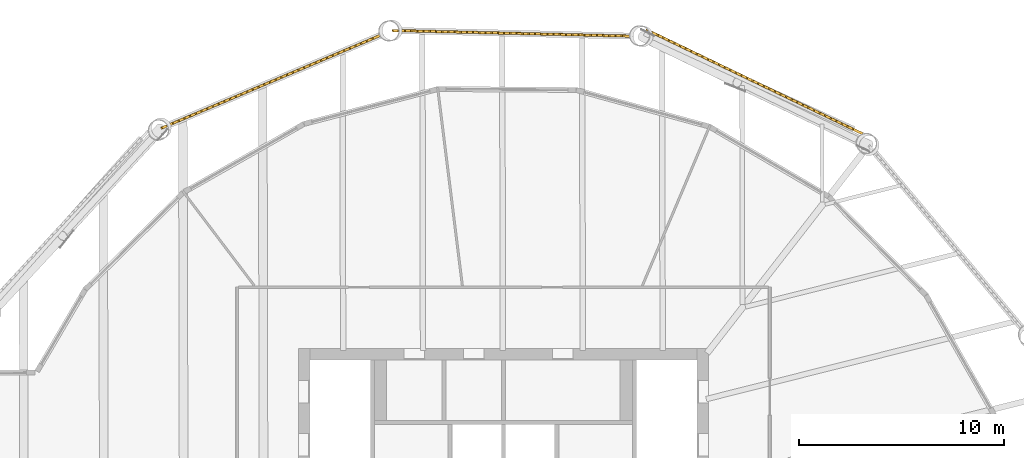
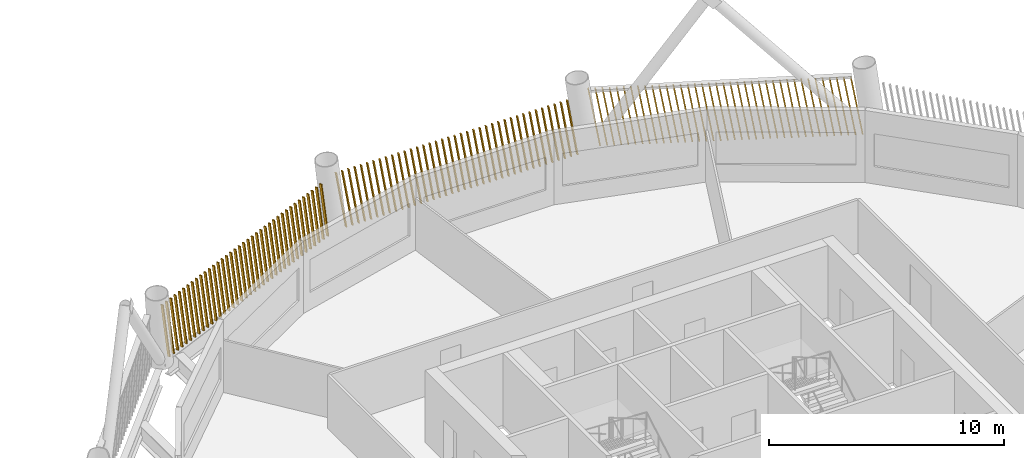
# One storey, part 21 of 22: 3 shading devices.
"""IFC4 building model written with IfcOpenShell, lengths in metres."""

from ifc_helpers import new_model, si_unit, direction, frame, frame_2d, origin, place, context, subcontext, project, spatial, rectangle, composite_profile, extrude, material, type_object, element, save


model = new_model("IFC4")

# Units and contexts
model_context = context("Model", 3, precision=1e-05, world=origin(), true_north=direction((0.0, 1.0)))
body_context = subcontext(model_context, "Body", "Model", "MODEL_VIEW")
ifc_project = project(units=[si_unit("LENGTHUNIT", "METRE"), si_unit("AREAUNIT", "SQUARE_METRE"), si_unit("VOLUMEUNIT", "CUBIC_METRE"), si_unit("PLANEANGLEUNIT", "RADIAN"), si_unit("MASSUNIT", "GRAM", prefix="KILO")], contexts=[model_context])

# Site, building, storey
site_placement = place(None, origin())
site = spatial("IfcSite", under=ifc_project, at=site_placement, CompositionType="ELEMENT")
building_placement = place(site_placement, origin())
building = spatial("IfcBuilding", under=site, at=building_placement, Name="Tarsis Ring Headquarters", CompositionType="ELEMENT")
storey_placement = place(building_placement, frame((0.0, 0.0, 286.39990234375)))
storey = spatial("IfcBuildingStorey", under=building, at=storey_placement, Name="L67", CompositionType="ELEMENT", Elevation=286.39990234375)

# Shading devices
ifc_material = material(Name="Terracotta baguette", Category="masonry")
shading_device_type = type_object("IfcShadingDeviceType", Name="Terracotta baguette screen", PredefinedType="USERDEFINED", material=ifc_material)
shading_device_1_placement = place(storey_placement, frame((17.54833984375, 23.482666015625, 0.0), z_axis=(0.0, 0.0, 1.0), x_axis=(-0.901011372515, 0.433805017797, 0.0)))
element("IfcShadingDevice", 1, at=shading_device_1_placement, inside=storey, type_object=shading_device_type, Name="Baguette screen L67-11", ObjectType="Terracotta baguette screen", PredefinedType="USERDEFINED", context=body_context, shape_type="SweptSolid", body=[
    extrude(composite_profile([rectangle(XDim=0.06005859375, YDim=0.1201171875, at=frame_2d((0.030029296875, 0.0))), rectangle(XDim=0.06005859375, YDim=0.1201171875, at=frame_2d((0.33251953125, 0.0))), rectangle(XDim=0.06005859375, YDim=0.1201171875, at=frame_2d((0.634765625, 0.0))), rectangle(XDim=0.06005859375, YDim=0.1201171875, at=frame_2d((0.937255859375, 0.0))), rectangle(XDim=0.06005859375, YDim=0.1201171875, at=frame_2d((1.239501953125, 0.0))), rectangle(XDim=0.06005859375, YDim=0.1201171875, at=frame_2d((1.5419921875, 0.0))), rectangle(XDim=0.06005859375, YDim=0.1201171875, at=frame_2d((1.844482421875, 0.0))), rectangle(XDim=0.06005859375, YDim=0.1201171875, at=frame_2d((2.146728515625, 0.0))), rectangle(XDim=0.06005859375, YDim=0.1201171875, at=frame_2d((2.44921875, 0.0))), rectangle(XDim=0.06005859375, YDim=0.1201171875, at=frame_2d((2.751708984375, 0.0))), rectangle(XDim=0.06005859375, YDim=0.1201171875, at=frame_2d((3.053955078125, 0.0))), rectangle(XDim=0.06005859375, YDim=0.1201171875, at=frame_2d((3.3564453125, 0.0))), rectangle(XDim=0.06005859375, YDim=0.1201171875, at=frame_2d((3.65869140625, 0.0))), rectangle(XDim=0.06005859375, YDim=0.1201171875, at=frame_2d((3.961181640625, 0.0))), rectangle(XDim=0.06005859375, YDim=0.1201171875, at=frame_2d((4.263671875, 0.0))), rectangle(XDim=0.06005859375, YDim=0.1201171875, at=frame_2d((4.56591796875, 0.0))), rectangle(XDim=0.06005859375, YDim=0.1201171875, at=frame_2d((4.868408203125, 0.0))), rectangle(XDim=0.06005859375, YDim=0.1201171875, at=frame_2d((5.1708984375, 0.0))), rectangle(XDim=0.06005859375, YDim=0.1201171875, at=frame_2d((5.47314453125, 0.0))), rectangle(XDim=0.06005859375, YDim=0.1201171875, at=frame_2d((5.775634765625, 0.0))), rectangle(XDim=0.06005859375, YDim=0.1201171875, at=frame_2d((6.077880859375, 0.0))), rectangle(XDim=0.06005859375, YDim=0.1201171875, at=frame_2d((6.38037109375, 0.0))), rectangle(XDim=0.06005859375, YDim=0.1201171875, at=frame_2d((6.682861328125, 0.0))), rectangle(XDim=0.06005859375, YDim=0.1201171875, at=frame_2d((6.985107421875, 0.0))), rectangle(XDim=0.06005859375, YDim=0.1201171875, at=frame_2d((7.28759765625, 0.0))), rectangle(XDim=0.06005859375, YDim=0.1201171875, at=frame_2d((7.590087890625, 0.0))), rectangle(XDim=0.06005859375, YDim=0.1201171875, at=frame_2d((7.892333984375, 0.0))), rectangle(XDim=0.06005859375, YDim=0.1201171875, at=frame_2d((8.19482421875, 0.0))), rectangle(XDim=0.06005859375, YDim=0.1201171875, at=frame_2d((8.4970703125, 0.0))), rectangle(XDim=0.06005859375, YDim=0.1201171875, at=frame_2d((8.799560546875, 0.0))), rectangle(XDim=0.06005859375, YDim=0.1201171875, at=frame_2d((9.10205078125, 0.0))), rectangle(XDim=0.06005859375, YDim=0.1201171875, at=frame_2d((9.404296875, 0.0))), rectangle(XDim=0.06005859375, YDim=0.1201171875, at=frame_2d((9.706787109375, 0.0))), rectangle(XDim=0.06005859375, YDim=0.1201171875, at=frame_2d((10.00927734375, 0.0))), rectangle(XDim=0.06005859375, YDim=0.1201171875, at=frame_2d((10.3115234375, 0.0))), rectangle(XDim=0.06005859375, YDim=0.1201171875, at=frame_2d((10.614013671875, 0.0))), rectangle(XDim=0.06005859375, YDim=0.1201171875, at=frame_2d((10.916259765625, 0.0))), rectangle(XDim=0.06005859375, YDim=0.1201171875, at=frame_2d((11.21875, 0.0)))]), origin(), (0.166805611392, 0.001456824604, 0.98598872492), 3.01025390625),
])
shading_device_2_placement = place(storey_placement, frame((6.2998046875, 28.25341796875, 0.0), z_axis=(0.0, 0.0, 1.0), x_axis=(-0.999717851329, 0.023830710798, 0.0)))
element("IfcShadingDevice", 2, at=shading_device_2_placement, inside=storey, type_object=shading_device_type, Name="Baguette screen L67-12", ObjectType="Terracotta baguette screen", PredefinedType="USERDEFINED", context=body_context, shape_type="SweptSolid", body=[
    extrude(composite_profile([rectangle(XDim=0.06005859375, YDim=0.1201171875, at=frame_2d((0.030029296875, 0.0))), rectangle(XDim=0.06005859375, YDim=0.1201171875, at=frame_2d((0.33251953125, 0.0))), rectangle(XDim=0.06005859375, YDim=0.1201171875, at=frame_2d((0.634765625, 0.0))), rectangle(XDim=0.06005859375, YDim=0.1201171875, at=frame_2d((0.937255859375, 0.0))), rectangle(XDim=0.06005859375, YDim=0.1201171875, at=frame_2d((1.239501953125, 0.0))), rectangle(XDim=0.06005859375, YDim=0.1201171875, at=frame_2d((1.5419921875, 0.0))), rectangle(XDim=0.06005859375, YDim=0.1201171875, at=frame_2d((1.844482421875, 0.0))), rectangle(XDim=0.06005859375, YDim=0.1201171875, at=frame_2d((2.146728515625, 0.0))), rectangle(XDim=0.06005859375, YDim=0.1201171875, at=frame_2d((2.44921875, 0.0))), rectangle(XDim=0.06005859375, YDim=0.1201171875, at=frame_2d((2.751708984375, 0.0))), rectangle(XDim=0.06005859375, YDim=0.1201171875, at=frame_2d((3.053955078125, 0.0))), rectangle(XDim=0.06005859375, YDim=0.1201171875, at=frame_2d((3.3564453125, 0.0))), rectangle(XDim=0.06005859375, YDim=0.1201171875, at=frame_2d((3.65869140625, 0.0))), rectangle(XDim=0.06005859375, YDim=0.1201171875, at=frame_2d((3.961181640625, 0.0))), rectangle(XDim=0.06005859375, YDim=0.1201171875, at=frame_2d((4.263671875, 0.0))), rectangle(XDim=0.06005859375, YDim=0.1201171875, at=frame_2d((4.56591796875, 0.0))), rectangle(XDim=0.06005859375, YDim=0.1201171875, at=frame_2d((4.868408203125, 0.0))), rectangle(XDim=0.06005859375, YDim=0.1201171875, at=frame_2d((5.1708984375, 0.0))), rectangle(XDim=0.06005859375, YDim=0.1201171875, at=frame_2d((5.47314453125, 0.0))), rectangle(XDim=0.06005859375, YDim=0.1201171875, at=frame_2d((5.775634765625, 0.0))), rectangle(XDim=0.06005859375, YDim=0.1201171875, at=frame_2d((6.077880859375, 0.0))), rectangle(XDim=0.06005859375, YDim=0.1201171875, at=frame_2d((6.38037109375, 0.0))), rectangle(XDim=0.06005859375, YDim=0.1201171875, at=frame_2d((6.682861328125, 0.0))), rectangle(XDim=0.06005859375, YDim=0.1201171875, at=frame_2d((6.985107421875, 0.0))), rectangle(XDim=0.06005859375, YDim=0.1201171875, at=frame_2d((7.28759765625, 0.0))), rectangle(XDim=0.06005859375, YDim=0.1201171875, at=frame_2d((7.590087890625, 0.0))), rectangle(XDim=0.06005859375, YDim=0.1201171875, at=frame_2d((7.892333984375, 0.0))), rectangle(XDim=0.06005859375, YDim=0.1201171875, at=frame_2d((8.19482421875, 0.0))), rectangle(XDim=0.06005859375, YDim=0.1201171875, at=frame_2d((8.4970703125, 0.0))), rectangle(XDim=0.06005859375, YDim=0.1201171875, at=frame_2d((8.799560546875, 0.0))), rectangle(XDim=0.06005859375, YDim=0.1201171875, at=frame_2d((9.10205078125, 0.0))), rectangle(XDim=0.06005859375, YDim=0.1201171875, at=frame_2d((9.404296875, 0.0))), rectangle(XDim=0.06005859375, YDim=0.1201171875, at=frame_2d((9.706787109375, 0.0))), rectangle(XDim=0.06005859375, YDim=0.1201171875, at=frame_2d((10.00927734375, 0.0))), rectangle(XDim=0.06005859375, YDim=0.1201171875, at=frame_2d((10.3115234375, 0.0))), rectangle(XDim=0.06005859375, YDim=0.1201171875, at=frame_2d((10.614013671875, 0.0))), rectangle(XDim=0.06005859375, YDim=0.1201171875, at=frame_2d((10.916259765625, 0.0))), rectangle(XDim=0.06005859375, YDim=0.1201171875, at=frame_2d((11.21875, 0.0)))]), origin(), (0.164690507558, 0.00143531429, 0.986344248522), 3.009033203125),
])
shading_device_3_placement = place(storey_placement, frame((-5.906005859375, 28.33837890625, 0.0), z_axis=(0.0, 0.0, 1.0), x_axis=(-0.920652834447, -0.390355065544, 0.0)))
element("IfcShadingDevice", 3, at=shading_device_3_placement, inside=storey, type_object=shading_device_type, Name="Baguette screen L67-13", ObjectType="Terracotta baguette screen", PredefinedType="USERDEFINED", context=body_context, shape_type="SweptSolid", body=[
    extrude(composite_profile([rectangle(XDim=0.06005859375, YDim=0.1201171875, at=frame_2d((0.030029296875, 0.0))), rectangle(XDim=0.06005859375, YDim=0.1201171875, at=frame_2d((0.33251953125, 0.0))), rectangle(XDim=0.06005859375, YDim=0.1201171875, at=frame_2d((0.634765625, 0.0))), rectangle(XDim=0.06005859375, YDim=0.1201171875, at=frame_2d((0.937255859375, 0.0))), rectangle(XDim=0.06005859375, YDim=0.1201171875, at=frame_2d((1.239501953125, 0.0))), rectangle(XDim=0.06005859375, YDim=0.1201171875, at=frame_2d((1.5419921875, 0.0))), rectangle(XDim=0.06005859375, YDim=0.1201171875, at=frame_2d((1.844482421875, 0.0))), rectangle(XDim=0.06005859375, YDim=0.1201171875, at=frame_2d((2.146728515625, 0.0))), rectangle(XDim=0.06005859375, YDim=0.1201171875, at=frame_2d((2.44921875, 0.0))), rectangle(XDim=0.06005859375, YDim=0.1201171875, at=frame_2d((2.751708984375, 0.0))), rectangle(XDim=0.06005859375, YDim=0.1201171875, at=frame_2d((3.053955078125, 0.0))), rectangle(XDim=0.06005859375, YDim=0.1201171875, at=frame_2d((3.3564453125, 0.0))), rectangle(XDim=0.06005859375, YDim=0.1201171875, at=frame_2d((3.65869140625, 0.0))), rectangle(XDim=0.06005859375, YDim=0.1201171875, at=frame_2d((3.961181640625, 0.0))), rectangle(XDim=0.06005859375, YDim=0.1201171875, at=frame_2d((4.263671875, 0.0))), rectangle(XDim=0.06005859375, YDim=0.1201171875, at=frame_2d((4.56591796875, 0.0))), rectangle(XDim=0.06005859375, YDim=0.1201171875, at=frame_2d((4.868408203125, 0.0))), rectangle(XDim=0.06005859375, YDim=0.1201171875, at=frame_2d((5.1708984375, 0.0))), rectangle(XDim=0.06005859375, YDim=0.1201171875, at=frame_2d((5.47314453125, 0.0))), rectangle(XDim=0.06005859375, YDim=0.1201171875, at=frame_2d((5.775634765625, 0.0))), rectangle(XDim=0.06005859375, YDim=0.1201171875, at=frame_2d((6.077880859375, 0.0))), rectangle(XDim=0.06005859375, YDim=0.1201171875, at=frame_2d((6.38037109375, 0.0))), rectangle(XDim=0.06005859375, YDim=0.1201171875, at=frame_2d((6.682861328125, 0.0))), rectangle(XDim=0.06005859375, YDim=0.1201171875, at=frame_2d((6.985107421875, 0.0))), rectangle(XDim=0.06005859375, YDim=0.1201171875, at=frame_2d((7.28759765625, 0.0))), rectangle(XDim=0.06005859375, YDim=0.1201171875, at=frame_2d((7.590087890625, 0.0))), rectangle(XDim=0.06005859375, YDim=0.1201171875, at=frame_2d((7.892333984375, 0.0))), rectangle(XDim=0.06005859375, YDim=0.1201171875, at=frame_2d((8.19482421875, 0.0))), rectangle(XDim=0.06005859375, YDim=0.1201171875, at=frame_2d((8.4970703125, 0.0))), rectangle(XDim=0.06005859375, YDim=0.1201171875, at=frame_2d((8.799560546875, 0.0))), rectangle(XDim=0.06005859375, YDim=0.1201171875, at=frame_2d((9.10205078125, 0.0))), rectangle(XDim=0.06005859375, YDim=0.1201171875, at=frame_2d((9.404296875, 0.0))), rectangle(XDim=0.06005859375, YDim=0.1201171875, at=frame_2d((9.706787109375, 0.0))), rectangle(XDim=0.06005859375, YDim=0.1201171875, at=frame_2d((10.00927734375, 0.0))), rectangle(XDim=0.06005859375, YDim=0.1201171875, at=frame_2d((10.3115234375, 0.0))), rectangle(XDim=0.06005859375, YDim=0.1201171875, at=frame_2d((10.614013671875, 0.0))), rectangle(XDim=0.06005859375, YDim=0.1201171875, at=frame_2d((10.916259765625, 0.0))), rectangle(XDim=0.06005859375, YDim=0.1201171875, at=frame_2d((11.21875, 0.0)))]), origin(), (0.164688341624, 0.001435374168, 0.98634461008), 3.009033203125),
])

save(model, "model.ifc")
